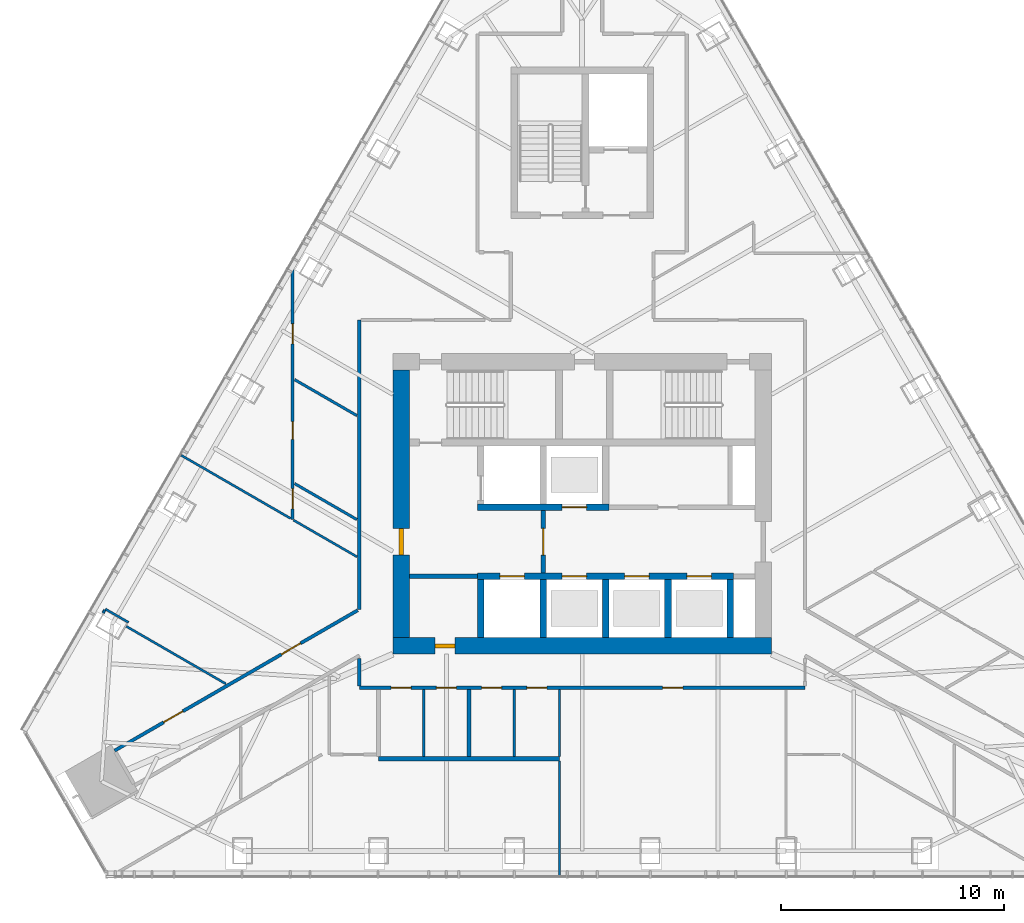
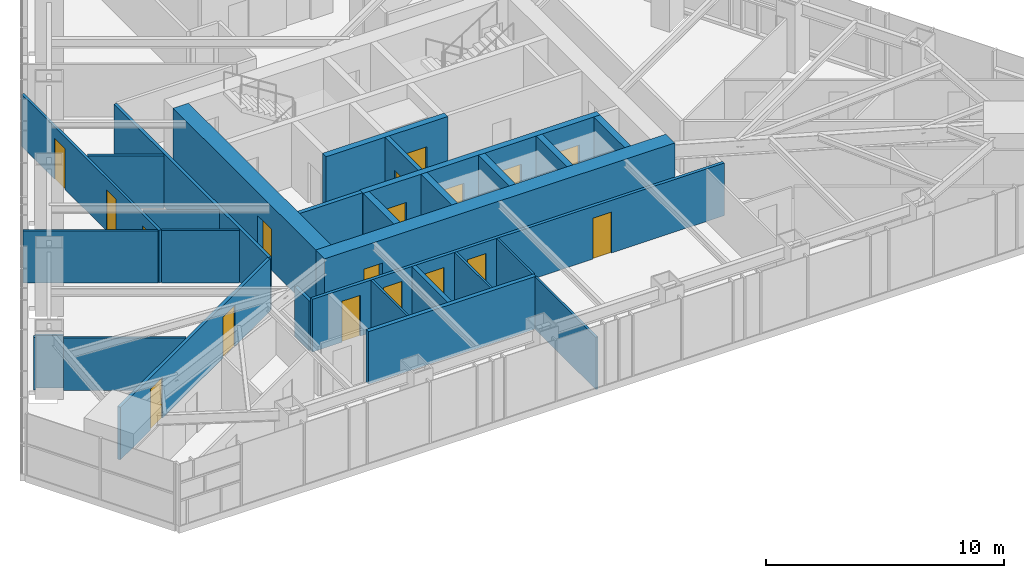
# One storey, part 14 of 18: 29 walls, 18 doors, 18 openings.
"""IFC4 building model written with IfcOpenShell, lengths in metres."""

from ifc_helpers import new_model, si_unit, direction, frame, frame_2d, origin, place, context, subcontext, project, spatial, rectangle, extrude, material, layer, layer_set, type_object, element, fill, save


model = new_model("IFC4")

# Units and contexts
model_context = context("Model", 3, precision=1e-05, world=origin(), true_north=direction((0.0, 1.0)))
body_context = subcontext(model_context, "Body", "Model", "MODEL_VIEW")
ifc_project = project(units=[si_unit("LENGTHUNIT", "METRE"), si_unit("AREAUNIT", "SQUARE_METRE"), si_unit("VOLUMEUNIT", "CUBIC_METRE"), si_unit("PLANEANGLEUNIT", "RADIAN"), si_unit("MASSUNIT", "GRAM", prefix="KILO")], contexts=[model_context])

# Site, building, storey
site_placement = place(None, origin())
site = spatial("IfcSite", under=ifc_project, at=site_placement, CompositionType="ELEMENT")
building_placement = place(site_placement, origin())
building = spatial("IfcBuilding", under=site, at=building_placement, Name="Firuza Gate Tower and Library", CompositionType="ELEMENT")
storey_placement = place(building_placement, frame((0.0, 0.0, 298.60009765625)))
storey = spatial("IfcBuildingStorey", under=building, at=storey_placement, Name="L72", CompositionType="ELEMENT", Elevation=298.60009765625)

# Wall
ifc_material_1 = material(Name="Plasterboard on steel studs", Category="steel")
ifc_layer_1 = layer(ifc_material_1, 0.199951171875)
ifc_layer_set_1 = layer_set([ifc_layer_1], Name="Core partition 200 EI 60")
wall_type_1 = type_object("IfcWallType", Name="Core partition 200 EI 60", PredefinedType="PARTITIONING", material=ifc_layer_set_1)
wall_1_placement = place(storey_placement, frame((67.25, 71.75, 0.0), z_axis=(0.0, 0.0, 1.0), x_axis=(1.0, 0.0, 0.0)))
element("IfcWall", 1, at=wall_1_placement, inside=storey, type_object=wall_type_1, Name="Core partition L72 1", PredefinedType="PARTITIONING", context=body_context, shape_type="SweptSolid", body=[
    extrude(rectangle(XDim=3.050048828125, YDim=0.199951171875, at=frame_2d((1.52490234375, 0.0))), origin(), (0.0, 0.0, 1.0), 3.2998046875),
])

# Wall, opening, door
wall_2_placement = place(storey_placement, frame((73.25, 71.89990234375, 0.0), z_axis=(0.0, 0.0, 1.0), x_axis=(0.0, 1.0, 0.0)))
wall_2 = element("IfcWall", 2, at=wall_2_placement, inside=storey, type_object=wall_type_1, Name="Core partition L72 4", PredefinedType="PARTITIONING", context=body_context, shape_type="SweptSolid", body=[
    extrude(rectangle(XDim=2.800048828125, YDim=0.199951171875, at=frame_2d((1.39990234375, 0.0))), origin(), (0.0, 0.0, 1.0), 3.2998046875),
])
opening_1_placement = place(wall_2_placement, frame((0.800048828125, 0.0, 0.0)))
opening_1 = element("IfcOpeningElement", 3, at=opening_1_placement, cuts=wall_2, Name="Opening L72-K14", PredefinedType="OPENING", context=body_context, shape_type="SweptSolid", body=[
    extrude(rectangle(XDim=1.199951171875, YDim=2.10009765625, at=frame_2d((0.60009765625, 1.050048828125))), frame((0.0, 0.10986328125, 0.0), z_axis=(0.0, -1.0, 0.0), x_axis=(1.0, 0.0, 0.0)), (0.0, 0.0, 1.0), 0.219970703125),
])
ifc_material_2 = material(Name="Steel", Category="steel")
door_type_1 = type_object("IfcDoorType", Name="Fire door 1200x2100 FD90S", OperationType="NOTDEFINED", PredefinedType="DOOR", material=ifc_material_2)
door_1_placement = place(opening_1_placement, origin())
door_1 = element("IfcDoor", 4, at=door_1_placement, inside=storey, type_object=door_type_1, Name="Door L72-K14", OperationType="SINGLE_SWING_LEFT", OverallHeight=2.10009765625, OverallWidth=1.199951171875, PredefinedType="DOOR", context=body_context, shape_type="SweptSolid", body=[
    extrude(rectangle(XDim=1.199951171875, YDim=2.10009765625, at=frame_2d((0.60009765625, 1.050048828125))), frame((0.0, 0.02490234375, 0.0), z_axis=(0.0, -1.0, 0.0), x_axis=(1.0, 0.0, 0.0)), (0.0, 0.0, 1.0), 0.050048828125),
])
fill(opening_1, door_1)

# Wall, openings, doors
ifc_material_3 = material(Name="Concrete C60/75", Category="concrete")
ifc_layer_2 = layer(ifc_material_3, 0.300048828125)
ifc_layer_set_2 = layer_set([ifc_layer_2], Name="Core wall 300 C60/75")
wall_type_2 = type_object("IfcWallType", Name="Core wall 300 C60/75", PredefinedType="SHEAR", material=ifc_layer_set_2)
wall_3_placement = place(storey_placement, frame((70.300048828125, 71.75, 0.0), z_axis=(0.0, 0.0, 1.0), x_axis=(1.0, 0.0, 0.0)))
wall_3 = element("IfcWall", 5, at=wall_3_placement, inside=storey, type_object=wall_type_2, Name="Core wall L72 5", PredefinedType="SHEAR", context=body_context, shape_type="SweptSolid", body=[
    extrude(rectangle(XDim=11.5, YDim=0.300048828125, at=frame_2d((5.75, 0.0))), origin(), (0.0, 0.0, 1.0), 3.2998046875),
])
opening_2_placement = place(wall_3_placement, frame((1.0, 0.0, 0.0)))
opening_2 = element("IfcOpeningElement", 6, at=opening_2_placement, cuts=wall_3, Name="Opening LD-FF1-L72", PredefinedType="OPENING", context=body_context, shape_type="SweptSolid", body=[
    extrude(rectangle(XDim=1.10009765625, YDim=2.10009765625, at=frame_2d((0.550048828125, 1.050048828125))), frame((0.0, 0.16015625, 0.0), z_axis=(0.0, -1.0, 0.0), x_axis=(1.0, 0.0, 0.0)), (0.0, 0.0, 1.0), 0.320068359375),
])
opening_3_placement = place(wall_3_placement, frame((3.800048828125, 0.0, 0.0)))
opening_3 = element("IfcOpeningElement", 7, at=opening_3_placement, cuts=wall_3, Name="Opening LD-HR1-L72", PredefinedType="OPENING", context=body_context, shape_type="SweptSolid", body=[
    extrude(rectangle(XDim=1.10009765625, YDim=2.10009765625, at=frame_2d((0.550048828125, 1.050048828125))), frame((0.0, 0.16015625, 0.0), z_axis=(0.0, -1.0, 0.0), x_axis=(1.0, 0.0, 0.0)), (0.0, 0.0, 1.0), 0.320068359375),
])
opening_4_placement = place(wall_3_placement, frame((6.60009765625, 0.0, 0.0)))
opening_4 = element("IfcOpeningElement", 8, at=opening_4_placement, cuts=wall_3, Name="Opening LD-HR2-L72", PredefinedType="OPENING", context=body_context, shape_type="SweptSolid", body=[
    extrude(rectangle(XDim=1.10009765625, YDim=2.10009765625, at=frame_2d((0.550048828125, 1.050048828125))), frame((0.0, 0.16015625, 0.0), z_axis=(0.0, -1.0, 0.0), x_axis=(1.0, 0.0, 0.0)), (0.0, 0.0, 1.0), 0.320068359375),
])
opening_5_placement = place(wall_3_placement, frame((9.39990234375, 0.0, 0.0)))
opening_5 = element("IfcOpeningElement", 9, at=opening_5_placement, cuts=wall_3, Name="Opening LD-HR3-L72", PredefinedType="OPENING", context=body_context, shape_type="SweptSolid", body=[
    extrude(rectangle(XDim=1.10009765625, YDim=2.10009765625, at=frame_2d((0.550048828125, 1.050048828125))), frame((0.0, 0.16015625, 0.0), z_axis=(0.0, -1.0, 0.0), x_axis=(1.0, 0.0, 0.0)), (0.0, 0.0, 1.0), 0.320068359375),
])
ifc_material_4 = material(Name="Stainless steel", Category="steel")
door_type_2 = type_object("IfcDoorType", Name="Lift landing door 1100x2100", OperationType="DOUBLE_DOOR_SLIDING", PredefinedType="DOOR", material=ifc_material_4)
door_2_placement = place(opening_2_placement, origin())
door_2 = element("IfcDoor", 10, at=door_2_placement, inside=storey, type_object=door_type_2, Name="Landing door FF1 L72", OperationType="DOUBLE_DOOR_SLIDING", OverallHeight=2.10009765625, OverallWidth=1.10009765625, PredefinedType="DOOR", context=body_context, shape_type="SweptSolid", body=[
    extrude(rectangle(XDim=1.10009765625, YDim=2.10009765625, at=frame_2d((0.550048828125, 1.050048828125))), frame((0.0, 0.02490234375, 0.0), z_axis=(0.0, -1.0, 0.0), x_axis=(1.0, 0.0, 0.0)), (0.0, 0.0, 1.0), 0.050048828125),
])
fill(opening_2, door_2)
door_3_placement = place(opening_3_placement, origin())
door_3 = element("IfcDoor", 11, at=door_3_placement, inside=storey, type_object=door_type_2, Name="Landing door HR1 L72", OperationType="DOUBLE_DOOR_SLIDING", OverallHeight=2.10009765625, OverallWidth=1.10009765625, PredefinedType="DOOR", context=body_context, shape_type="SweptSolid", body=[
    extrude(rectangle(XDim=1.10009765625, YDim=2.10009765625, at=frame_2d((0.550048828125, 1.050048828125))), frame((0.0, 0.02490234375, 0.0), z_axis=(0.0, -1.0, 0.0), x_axis=(1.0, 0.0, 0.0)), (0.0, 0.0, 1.0), 0.050048828125),
])
fill(opening_3, door_3)
door_4_placement = place(opening_4_placement, origin())
door_4 = element("IfcDoor", 12, at=door_4_placement, inside=storey, type_object=door_type_2, Name="Landing door HR2 L72", OperationType="DOUBLE_DOOR_SLIDING", OverallHeight=2.10009765625, OverallWidth=1.10009765625, PredefinedType="DOOR", context=body_context, shape_type="SweptSolid", body=[
    extrude(rectangle(XDim=1.10009765625, YDim=2.10009765625, at=frame_2d((0.550048828125, 1.050048828125))), frame((0.0, 0.02490234375, 0.0), z_axis=(0.0, -1.0, 0.0), x_axis=(1.0, 0.0, 0.0)), (0.0, 0.0, 1.0), 0.050048828125),
])
fill(opening_4, door_4)
door_5_placement = place(opening_5_placement, origin())
door_5 = element("IfcDoor", 13, at=door_5_placement, inside=storey, type_object=door_type_2, Name="Landing door HR3 L72", OperationType="DOUBLE_DOOR_SLIDING", OverallHeight=2.10009765625, OverallWidth=1.10009765625, PredefinedType="DOOR", context=body_context, shape_type="SweptSolid", body=[
    extrude(rectangle(XDim=1.10009765625, YDim=2.10009765625, at=frame_2d((0.550048828125, 1.050048828125))), frame((0.0, 0.02490234375, 0.0), z_axis=(0.0, -1.0, 0.0), x_axis=(1.0, 0.0, 0.0)), (0.0, 0.0, 1.0), 0.050048828125),
])
fill(opening_5, door_5)

# Wall, opening, door
wall_4_placement = place(storey_placement, frame((70.300048828125, 74.85009765625, 0.0), z_axis=(0.0, 0.0, 1.0), x_axis=(1.0, 0.0, 0.0)))
wall_4 = element("IfcWall", 14, at=wall_4_placement, inside=storey, type_object=wall_type_2, Name="Core wall L72 6", PredefinedType="SHEAR", context=body_context, shape_type="SweptSolid", body=[
    extrude(rectangle(XDim=5.89990234375, YDim=0.300048828125, at=frame_2d((2.949951171875, 0.0))), origin(), (0.0, 0.0, 1.0), 3.2998046875),
])
opening_6_placement = place(wall_4_placement, frame((3.800048828125, 0.0, 0.0)))
opening_6 = element("IfcOpeningElement", 15, at=opening_6_placement, cuts=wall_4, Name="Opening LD-HR4-L72", PredefinedType="OPENING", context=body_context, shape_type="SweptSolid", body=[
    extrude(rectangle(XDim=1.10009765625, YDim=2.10009765625, at=frame_2d((0.550048828125, 1.050048828125))), frame((0.0, 0.16015625, 0.0), z_axis=(0.0, -1.0, 0.0), x_axis=(1.0, 0.0, 0.0)), (0.0, 0.0, 1.0), 0.320068359375),
])
door_6_placement = place(opening_6_placement, origin())
door_6 = element("IfcDoor", 16, at=door_6_placement, inside=storey, type_object=door_type_2, Name="Landing door HR4 L72", OperationType="DOUBLE_DOOR_SLIDING", OverallHeight=2.10009765625, OverallWidth=1.10009765625, PredefinedType="DOOR", context=body_context, shape_type="SweptSolid", body=[
    extrude(rectangle(XDim=1.10009765625, YDim=2.10009765625, at=frame_2d((0.550048828125, 1.050048828125))), frame((0.0, 0.02490234375, 0.0), z_axis=(0.0, -1.0, 0.0), x_axis=(1.0, 0.0, 0.0)), (0.0, 0.0, 1.0), 0.050048828125),
])
fill(opening_6, door_6)

# Walls
for number, where, z_axis, x_axis, name in (
    (17, (70.449951171875, 69.0, 0.0), (0.0, 0.0, 1.0), (0.0, 1.0, 0.0), "Core wall L72 7"),
    (18, (73.25, 69.0, 0.0), (0.0, 0.0, 1.0), (0.0, 1.0, 0.0), "Core wall L72 9"),
    (19, (76.050048828125, 69.0, 0.0), (0.0, 0.0, 1.0), (0.0, 1.0, 0.0), "Core wall L72 11"),
    (20, (78.85009765625, 69.0, 0.0), (0.0, 0.0, 1.0), (0.0, 1.0, 0.0), "Core wall L72 13"),
    (21, (81.64990234375, 69.0, 0.0), (0.0, 0.0, 1.0), (0.0, 1.0, 0.0), "Core wall L72 14"),
):
    element("IfcWall", number, at=place(storey_placement, frame(where, z_axis=z_axis, x_axis=x_axis)), inside=storey, type_object=wall_type_2, Name=name, PredefinedType="SHEAR", context=body_context, shape_type="SweptSolid", body=[
        extrude(rectangle(XDim=2.60009765625, YDim=0.300048828125, at=frame_2d((1.300048828125, 0.0))), origin(), (0.0, 0.0, 1.0), 3.2998046875),
    ])

# Wall, opening, door
ifc_material_5 = material(Name="Concrete C60/75", Category="concrete")
ifc_layer_3 = layer(ifc_material_5, 0.75)
ifc_layer_set_3 = layer_set([ifc_layer_3], Name="Core wall 750 C60/75")
wall_type_3 = type_object("IfcWallType", Name="Core wall 750 C60/75", PredefinedType="SHEAR", material=ifc_layer_set_3)
wall_5_placement = place(storey_placement, frame((66.5, 68.625, 0.0), z_axis=(0.0, 0.0, 1.0), x_axis=(1.0, 0.0, 0.0)))
wall_5 = element("IfcWall", 22, at=wall_5_placement, inside=storey, type_object=wall_type_3, Name="Core wall L72 1", PredefinedType="SHEAR", context=body_context, shape_type="SweptSolid", body=[
    extrude(rectangle(XDim=17.0, YDim=0.75, at=frame_2d((8.5, 0.0))), origin(), (0.0, 0.0, 1.0), 3.2998046875),
])
opening_7_placement = place(wall_5_placement, frame((1.89990234375, 0.0, 0.0)))
opening_7 = element("IfcOpeningElement", 23, at=opening_7_placement, cuts=wall_5, Name="Opening L72-K17", PredefinedType="OPENING", context=body_context, shape_type="SweptSolid", body=[
    extrude(rectangle(XDim=0.89990234375, YDim=2.10009765625, at=frame_2d((0.449951171875, 1.050048828125))), frame((0.0, 0.385009765625, 0.0), z_axis=(0.0, -1.0, 0.0), x_axis=(1.0, 0.0, 0.0)), (0.0, 0.0, 1.0), 0.77001953125),
])
ifc_material_6 = material(Name="Steel", Category="steel")
door_type_3 = type_object("IfcDoorType", Name="Fire door 900x2100 FD30S", OperationType="NOTDEFINED", PredefinedType="DOOR", material=ifc_material_6)
door_7_placement = place(opening_7_placement, origin())
door_7 = element("IfcDoor", 24, at=door_7_placement, inside=storey, type_object=door_type_3, Name="Door L72-K17", OperationType="SINGLE_SWING_RIGHT", OverallHeight=2.10009765625, OverallWidth=0.89990234375, PredefinedType="DOOR", context=body_context, shape_type="SweptSolid", body=[
    extrude(rectangle(XDim=0.89990234375, YDim=2.10009765625, at=frame_2d((0.449951171875, 1.050048828125))), frame((0.0, 0.094970703125, 0.0), z_axis=(0.0, -1.0, 0.0), x_axis=(1.0, 0.0, 0.0)), (0.0, 0.0, 1.0), 0.18994140625),
])
fill(opening_7, door_7)

wall_6_placement = place(storey_placement, frame((66.875, 69.0, 0.0), z_axis=(0.0, 0.0, 1.0), x_axis=(0.0, 1.0, 0.0)))
wall_6 = element("IfcWall", 25, at=wall_6_placement, inside=storey, type_object=wall_type_3, Name="Core wall L72 3", PredefinedType="SHEAR", context=body_context, shape_type="SweptSolid", body=[
    extrude(rectangle(XDim=12.0, YDim=0.75, at=frame_2d((6.0, 0.0))), origin(), (0.0, 0.0, 1.0), 3.2998046875),
])
opening_8_placement = place(wall_6_placement, frame((3.699951171875, 0.0, 0.0)))
opening_8 = element("IfcOpeningElement", 26, at=opening_8_placement, cuts=wall_6, Name="Opening L72-K15", PredefinedType="OPENING", context=body_context, shape_type="SweptSolid", body=[
    extrude(rectangle(XDim=1.199951171875, YDim=2.10009765625, at=frame_2d((0.60009765625, 1.050048828125))), frame((0.0, 0.385009765625, 0.0), z_axis=(0.0, -1.0, 0.0), x_axis=(1.0, 0.0, 0.0)), (0.0, 0.0, 1.0), 0.77001953125),
])
door_8_placement = place(opening_8_placement, origin())
door_8 = element("IfcDoor", 27, at=door_8_placement, inside=storey, type_object=door_type_1, Name="Door L72-K15", OperationType="SINGLE_SWING_RIGHT", OverallHeight=2.10009765625, OverallWidth=1.199951171875, PredefinedType="DOOR", context=body_context, shape_type="SweptSolid", body=[
    extrude(rectangle(XDim=1.199951171875, YDim=2.10009765625, at=frame_2d((0.60009765625, 1.050048828125))), frame((0.0, 0.094970703125, 0.0), z_axis=(0.0, -1.0, 0.0), x_axis=(1.0, 0.0, 0.0)), (0.0, 0.0, 1.0), 0.18994140625),
])
fill(opening_8, door_8)

# Wall, openings, doors
ifc_material_7 = material(Name="Gypsum board partition")
ifc_layer_4 = layer(ifc_material_7, 0.14990234375)
ifc_layer_set_4 = layer_set([ifc_layer_4], Name="Corridor wall 150 double board on steel studs")
wall_type_4 = type_object("IfcWallType", Name="Corridor wall 150 double board on steel studs", PredefinedType="PARTITIONING", material=ifc_layer_set_4)
wall_7_placement = place(storey_placement, frame((85.0, 66.75, 0.0), z_axis=(0.0, 0.0, 1.0), x_axis=(-1.0, 0.0, 0.0)))
wall_7 = element("IfcWall", 28, at=wall_7_placement, inside=storey, type_object=wall_type_4, Name="f:L72:w004", PredefinedType="PARTITIONING", context=body_context, shape_type="SweptSolid", body=[
    extrude(rectangle(XDim=20.0, YDim=0.14990234375, at=frame_2d((10.0, 0.0))), origin(), (0.0, 0.0, 1.0), 2.699951171875),
])
opening_9_placement = place(wall_7_placement, frame((5.486083984375, 0.0, 0.0)))
opening_9 = element("IfcOpeningElement", 29, at=opening_9_placement, cuts=wall_7, Name="Opening L72-03", PredefinedType="OPENING", context=body_context, shape_type="SweptSolid", body=[
    extrude(rectangle(XDim=0.89990234375, YDim=2.10009765625, at=frame_2d((0.449951171875, 1.050048828125))), frame((0.0, 0.0849609375, 0.0), z_axis=(0.0, -1.0, 0.0), x_axis=(1.0, 0.0, 0.0)), (0.0, 0.0, 1.0), 0.169921875),
])
opening_10_placement = place(wall_7_placement, frame((11.58203125, 0.0, 0.0)))
opening_10 = element("IfcOpeningElement", 30, at=opening_10_placement, cuts=wall_7, Name="Opening L72-04", PredefinedType="OPENING", context=body_context, shape_type="SweptSolid", body=[
    extrude(rectangle(XDim=0.89990234375, YDim=2.10009765625, at=frame_2d((0.449951171875, 1.050048828125))), frame((0.0, 0.0849609375, 0.0), z_axis=(0.0, -1.0, 0.0), x_axis=(1.0, 0.0, 0.0)), (0.0, 0.0, 1.0), 0.169921875),
])
opening_11_placement = place(wall_7_placement, frame((13.614013671875, 0.0, 0.0)))
opening_11 = element("IfcOpeningElement", 31, at=opening_11_placement, cuts=wall_7, Name="Opening L72-05", PredefinedType="OPENING", context=body_context, shape_type="SweptSolid", body=[
    extrude(rectangle(XDim=0.89990234375, YDim=2.10009765625, at=frame_2d((0.449951171875, 1.050048828125))), frame((0.0, 0.0849609375, 0.0), z_axis=(0.0, -1.0, 0.0), x_axis=(1.0, 0.0, 0.0)), (0.0, 0.0, 1.0), 0.169921875),
])
opening_12_placement = place(wall_7_placement, frame((15.64599609375, 0.0, 0.0)))
opening_12 = element("IfcOpeningElement", 32, at=opening_12_placement, cuts=wall_7, Name="Opening L72-06", PredefinedType="OPENING", context=body_context, shape_type="SweptSolid", body=[
    extrude(rectangle(XDim=0.89990234375, YDim=2.10009765625, at=frame_2d((0.449951171875, 1.050048828125))), frame((0.0, 0.0849609375, 0.0), z_axis=(0.0, -1.0, 0.0), x_axis=(1.0, 0.0, 0.0)), (0.0, 0.0, 1.0), 0.169921875),
])
opening_13_placement = place(wall_7_placement, frame((17.677978515625, 0.0, 0.0)))
opening_13 = element("IfcOpeningElement", 33, at=opening_13_placement, cuts=wall_7, Name="Opening L72-07", PredefinedType="OPENING", context=body_context, shape_type="SweptSolid", body=[
    extrude(rectangle(XDim=0.89990234375, YDim=2.10009765625, at=frame_2d((0.449951171875, 1.050048828125))), frame((0.0, 0.0849609375, 0.0), z_axis=(0.0, -1.0, 0.0), x_axis=(1.0, 0.0, 0.0)), (0.0, 0.0, 1.0), 0.169921875),
])
ifc_material_8 = material(Name="Steel door and timber leaf", Category="steel")
door_type_4 = type_object("IfcDoorType", Name="Fire door 900 x 2100 steel frame, timber leaf", OperationType="NOTDEFINED", PredefinedType="DOOR", material=ifc_material_8)
door_9_placement = place(opening_9_placement, origin())
door_9 = element("IfcDoor", 34, at=door_9_placement, inside=storey, type_object=door_type_4, Name="f:L72:d003", OperationType="SINGLE_SWING_RIGHT", OverallHeight=2.10009765625, OverallWidth=0.89990234375, PredefinedType="DOOR", context=body_context, shape_type="SweptSolid", body=[
    extrude(rectangle(XDim=0.89990234375, YDim=2.10009765625, at=frame_2d((0.449951171875, 1.050048828125))), frame((0.0, 0.02490234375, 0.0), z_axis=(0.0, -1.0, 0.0), x_axis=(1.0, 0.0, 0.0)), (0.0, 0.0, 1.0), 0.050048828125),
])
fill(opening_9, door_9)
door_10_placement = place(opening_10_placement, origin())
door_10 = element("IfcDoor", 35, at=door_10_placement, inside=storey, type_object=door_type_4, Name="f:L72:d004", OperationType="SINGLE_SWING_LEFT", OverallHeight=2.10009765625, OverallWidth=0.89990234375, PredefinedType="DOOR", context=body_context, shape_type="SweptSolid", body=[
    extrude(rectangle(XDim=0.89990234375, YDim=2.10009765625, at=frame_2d((0.449951171875, 1.050048828125))), frame((0.0, 0.02490234375, 0.0), z_axis=(0.0, -1.0, 0.0), x_axis=(1.0, 0.0, 0.0)), (0.0, 0.0, 1.0), 0.050048828125),
])
fill(opening_10, door_10)
door_11_placement = place(opening_11_placement, origin())
door_11 = element("IfcDoor", 36, at=door_11_placement, inside=storey, type_object=door_type_4, Name="f:L72:d005", OperationType="SINGLE_SWING_RIGHT", OverallHeight=2.10009765625, OverallWidth=0.89990234375, PredefinedType="DOOR", context=body_context, shape_type="SweptSolid", body=[
    extrude(rectangle(XDim=0.89990234375, YDim=2.10009765625, at=frame_2d((0.449951171875, 1.050048828125))), frame((0.0, 0.02490234375, 0.0), z_axis=(0.0, -1.0, 0.0), x_axis=(1.0, 0.0, 0.0)), (0.0, 0.0, 1.0), 0.050048828125),
])
fill(opening_11, door_11)
door_12_placement = place(opening_12_placement, origin())
door_12 = element("IfcDoor", 37, at=door_12_placement, inside=storey, type_object=door_type_4, Name="f:L72:d006", OperationType="SINGLE_SWING_LEFT", OverallHeight=2.10009765625, OverallWidth=0.89990234375, PredefinedType="DOOR", context=body_context, shape_type="SweptSolid", body=[
    extrude(rectangle(XDim=0.89990234375, YDim=2.10009765625, at=frame_2d((0.449951171875, 1.050048828125))), frame((0.0, 0.02490234375, 0.0), z_axis=(0.0, -1.0, 0.0), x_axis=(1.0, 0.0, 0.0)), (0.0, 0.0, 1.0), 0.050048828125),
])
fill(opening_12, door_12)
door_13_placement = place(opening_13_placement, origin())
door_13 = element("IfcDoor", 38, at=door_13_placement, inside=storey, type_object=door_type_4, Name="f:L72:d007", OperationType="SINGLE_SWING_RIGHT", OverallHeight=2.10009765625, OverallWidth=0.89990234375, PredefinedType="DOOR", context=body_context, shape_type="SweptSolid", body=[
    extrude(rectangle(XDim=0.89990234375, YDim=2.10009765625, at=frame_2d((0.449951171875, 1.050048828125))), frame((0.0, 0.02490234375, 0.0), z_axis=(0.0, -1.0, 0.0), x_axis=(1.0, 0.0, 0.0)), (0.0, 0.0, 1.0), 0.050048828125),
])
fill(opening_13, door_13)

wall_8_placement = place(storey_placement, frame((54.012451171875, 63.922119140625, 0.0), z_axis=(0.0, 0.0, 1.0), x_axis=(0.866028779199, 0.499994153564, 0.0)))
wall_8 = element("IfcWall", 39, at=wall_8_placement, inside=storey, type_object=wall_type_4, Name="f:L72:w022", PredefinedType="PARTITIONING", context=body_context, shape_type="SweptSolid", body=[
    extrude(rectangle(XDim=12.600830078125, YDim=0.14990234375, at=frame_2d((6.30029296875, 0.0))), origin(), (0.0, 0.0, 1.0), 2.699951171875),
])
opening_14_placement = place(wall_8_placement, frame((2.542236328125, 0.0, 0.0)))
opening_14 = element("IfcOpeningElement", 40, at=opening_14_placement, cuts=wall_8, Name="Opening L72-15", PredefinedType="OPENING", context=body_context, shape_type="SweptSolid", body=[
    extrude(rectangle(XDim=1.0, YDim=2.10009765625, at=frame_2d((0.5, 1.050048828125))), frame((0.0, 0.0849609375, 0.0), z_axis=(0.0, -1.0, 0.0), x_axis=(1.0, 0.0, 0.0)), (0.0, 0.0, 1.0), 0.169921875),
])
opening_15_placement = place(wall_8_placement, frame((8.63916015625, 0.0, 0.0)))
opening_15 = element("IfcOpeningElement", 41, at=opening_15_placement, cuts=wall_8, Name="Opening L72-16", PredefinedType="OPENING", context=body_context, shape_type="SweptSolid", body=[
    extrude(rectangle(XDim=1.0, YDim=2.10009765625, at=frame_2d((0.5, 1.050048828125))), frame((0.0, 0.0849609375, 0.0), z_axis=(0.0, -1.0, 0.0), x_axis=(1.0, 0.0, 0.0)), (0.0, 0.0, 1.0), 0.169921875),
])
ifc_material_9 = material(Name="Steel door and timber leaf", Category="steel")
door_type_5 = type_object("IfcDoorType", Name="Fire door 1000 x 2100 steel frame, timber leaf", OperationType="NOTDEFINED", PredefinedType="DOOR", material=ifc_material_9)
door_14_placement = place(opening_14_placement, origin())
door_14 = element("IfcDoor", 42, at=door_14_placement, inside=storey, type_object=door_type_5, Name="f:L72:d015", OperationType="SINGLE_SWING_LEFT", OverallHeight=2.10009765625, OverallWidth=1.0, PredefinedType="DOOR", context=body_context, shape_type="SweptSolid", body=[
    extrude(rectangle(XDim=1.0, YDim=2.10009765625, at=frame_2d((0.5, 1.050048828125))), frame((0.0, 0.02490234375, 0.0), z_axis=(0.0, -1.0, 0.0), x_axis=(1.0, 0.0, 0.0)), (0.0, 0.0, 1.0), 0.050048828125),
])
fill(opening_14, door_14)
door_15_placement = place(opening_15_placement, origin())
door_15 = element("IfcDoor", 43, at=door_15_placement, inside=storey, type_object=door_type_5, Name="f:L72:d016", OperationType="SINGLE_SWING_RIGHT", OverallHeight=2.10009765625, OverallWidth=1.0, PredefinedType="DOOR", context=body_context, shape_type="SweptSolid", body=[
    extrude(rectangle(XDim=1.0, YDim=2.10009765625, at=frame_2d((0.5, 1.050048828125))), frame((0.0, 0.02490234375, 0.0), z_axis=(0.0, -1.0, 0.0), x_axis=(1.0, 0.0, 0.0)), (0.0, 0.0, 1.0), 0.050048828125),
])
fill(opening_15, door_15)

# Walls
wall_9_placement = place(storey_placement, frame((65.0, 66.824951171875, 0.0), z_axis=(0.0, 0.0, 1.0), x_axis=(0.0, 1.0, 0.0)))
element("IfcWall", 44, at=wall_9_placement, inside=storey, type_object=wall_type_4, Name="f:L72:w046", PredefinedType="PARTITIONING", context=body_context, shape_type="SweptSolid", body=[
    extrude(rectangle(XDim=1.225830078125, YDim=0.14990234375, at=frame_2d((0.61279296875, 0.0))), origin(), (0.0, 0.0, 1.0), 2.546875),
])
wall_10_placement = place(storey_placement, frame((65.0, 70.265625, 0.0), z_axis=(0.0, 0.0, 1.0), x_axis=(0.0, 1.0, 0.0)))
element("IfcWall", 45, at=wall_10_placement, inside=storey, type_object=wall_type_4, Name="f:L72:w047", PredefinedType="PARTITIONING", context=body_context, shape_type="SweptSolid", body=[
    extrude(rectangle(XDim=12.98388671875, YDim=0.14990234375, at=frame_2d((6.491943359375, 0.0))), origin(), (0.0, 0.0, 1.0), 2.699951171875),
])
ifc_material_10 = material(Name="Gypsum board partition")
ifc_layer_5 = layer(ifc_material_10, 0.199951171875)
ifc_layer_set_5 = layer_set([ifc_layer_5], Name="Demising wall 200 acoustic double stud")
wall_type_5 = type_object("IfcWallType", Name="Demising wall 200 acoustic double stud", PredefinedType="PARTITIONING", material=ifc_layer_set_5)
wall_11_placement = place(storey_placement, frame((65.85595703125, 63.550048828125, 0.0), z_axis=(0.0, 0.0, 1.0), x_axis=(1.0, 0.0, 0.0)))
element("IfcWall", 46, at=wall_11_placement, inside=storey, type_object=wall_type_5, Name="f:L72:w001", PredefinedType="PARTITIONING", context=body_context, shape_type="SweptSolid", body=[
    extrude(rectangle(XDim=8.1279296875, YDim=0.199951171875, at=frame_2d((4.06396484375, 0.0))), origin(), (0.0, 0.0, 1.0), 2.699951171875),
])
wall_12_placement = place(storey_placement, frame((69.919921875, 63.64990234375, 0.0), z_axis=(0.0, 0.0, 1.0), x_axis=(0.0, 1.0, 0.0)))
element("IfcWall", 47, at=wall_12_placement, inside=storey, type_object=wall_type_5, Name="f:L72:w043", PredefinedType="PARTITIONING", context=body_context, shape_type="SweptSolid", body=[
    extrude(rectangle(XDim=3.025146484375, YDim=0.199951171875, at=frame_2d((1.5126953125, 0.0))), origin(), (0.0, 0.0, 1.0), 2.699951171875),
])
ifc_material_11 = material(Name="Gypsum board partition")
ifc_layer_6 = layer(ifc_material_11, 0.10009765625)
ifc_layer_set_6 = layer_set([ifc_layer_6], Name="Partition 100 gypsum board on steel studs")
wall_type_6 = type_object("IfcWallType", Name="Partition 100 gypsum board on steel studs", PredefinedType="PARTITIONING", material=ifc_layer_set_6)
wall_13_placement = place(storey_placement, frame((53.4951171875, 70.102294921875, 0.0), z_axis=(0.0, 0.0, 1.0), x_axis=(0.499906209203, 0.866079547155, 0.0)))
element("IfcWall", 48, at=wall_13_placement, inside=storey, type_object=wall_type_6, Name="f:L72:w026", PredefinedType="PARTITIONING", context=body_context, shape_type="SweptSolid", body=[
    extrude(rectangle(XDim=0.1533203125, YDim=0.10009765625, at=frame_2d((0.07666015625, 0.0))), origin(), (0.0, 0.0, 1.0), 2.699951171875),
])
wall_14_placement = place(storey_placement, frame((73.98388671875, 58.32470703125, 0.0), z_axis=(0.0, 0.0, 1.0), x_axis=(0.0, 1.0, 0.0)))
element("IfcWall", 49, at=wall_14_placement, inside=storey, type_object=wall_type_6, Name="f:L72:w038", PredefinedType="PARTITIONING", context=body_context, shape_type="SweptSolid", body=[
    extrude(rectangle(XDim=5.125244140625, YDim=0.10009765625, at=frame_2d((2.5625, 0.0))), origin(), (0.0, 0.0, 1.0), 2.68798828125),
])
for number, where, z_axis, x_axis, name in (
    (50, (71.951904296875, 63.64990234375, 0.0), (0.0, 0.0, 1.0), (0.0, 1.0, 0.0), "f:L72:w040"),
    (51, (67.887939453125, 63.64990234375, 0.0), (0.0, 0.0, 1.0), (0.0, 1.0, 0.0), "f:L72:w044"),
):
    element("IfcWall", number, at=place(storey_placement, frame(where, z_axis=z_axis, x_axis=x_axis)), inside=storey, type_object=wall_type_6, Name=name, PredefinedType="PARTITIONING", context=body_context, shape_type="SweptSolid", body=[
        extrude(rectangle(XDim=3.025146484375, YDim=0.10009765625, at=frame_2d((1.5126953125, 0.0))), origin(), (0.0, 0.0, 1.0), 2.699951171875),
    ])
wall_15_placement = place(storey_placement, frame((64.899169921875, 72.61962890625, 0.0), z_axis=(0.0, 0.0, 1.0), x_axis=(-0.866032610133, 0.499987518031, 0.0)))
element("IfcWall", 52, at=wall_15_placement, inside=storey, type_object=wall_type_6, Name="f:L72:w064", PredefinedType="PARTITIONING", context=body_context, shape_type="SweptSolid", body=[
    extrude(rectangle(XDim=3.29541015625, YDim=0.10009765625, at=frame_2d((1.647705078125, 0.0))), origin(), (0.0, 0.0, 1.0), 2.699951171875),
])
wall_16_placement = place(storey_placement, frame((54.6357421875, 69.679443359375, 0.0), z_axis=(0.0, 0.0, 1.0), x_axis=(-0.865978732077, 0.500080829057, 0.0)))
element("IfcWall", 53, at=wall_16_placement, inside=storey, type_object=wall_type_6, Name="f:L72:w065", PredefinedType="PARTITIONING", context=body_context, shape_type="SweptSolid", body=[
    extrude(rectangle(XDim=1.198974609375, YDim=0.10009765625, at=frame_2d((0.599609375, 0.0))), origin(), (0.0, 0.0, 1.0), 2.699951171875),
])
wall_17_placement = place(storey_placement, frame((59.0048828125, 66.921142578125, 0.0), z_axis=(0.0, 0.0, 1.0), x_axis=(-0.866022552607, 0.500004938352, 0.0)))
element("IfcWall", 54, at=wall_17_placement, inside=storey, type_object=wall_type_6, Name="f:L72:w066", PredefinedType="PARTITIONING", context=body_context, shape_type="SweptSolid", body=[
    extrude(rectangle(XDim=5.162109375, YDim=0.10009765625, at=frame_2d((2.5810546875, 0.0))), origin(), (0.0, 0.0, 1.0), 2.699951171875),
])
wall_18_placement = place(storey_placement, frame((73.98388671875, 63.64990234375, 0.0), z_axis=(0.0, 0.0, 1.0), x_axis=(0.0, 1.0, 0.0)))
element("IfcWall", 55, at=wall_18_placement, inside=storey, type_object=wall_type_6, Name="f:L72:w067", PredefinedType="PARTITIONING", context=body_context, shape_type="SweptSolid", body=[
    extrude(rectangle(XDim=3.025146484375, YDim=0.10009765625, at=frame_2d((1.5126953125, 0.0))), origin(), (0.0, 0.0, 1.0), 2.699951171875),
])
wall_19_placement = place(storey_placement, frame((61.9150390625, 74.342529296875, 0.0), z_axis=(0.0, 0.0, 1.0), x_axis=(-0.866030760678, 0.499990721473, 0.0)))
element("IfcWall", 56, at=wall_19_placement, inside=storey, type_object=wall_type_6, Name="f:L72:w071", PredefinedType="PARTITIONING", context=body_context, shape_type="SweptSolid", body=[
    extrude(rectangle(XDim=5.671875, YDim=0.10009765625, at=frame_2d((2.8359375, 0.0))), origin(), (0.0, 0.0, 1.0), 2.68798828125),
])

# Wall, openings, doors
ifc_material_12 = material(Name="Gypsum board partition")
ifc_layer_7 = layer(ifc_material_12, 0.1201171875)
ifc_layer_set_7 = layer_set([ifc_layer_7], Name="Wet-area partition 120 moisture-resistant board")
wall_type_7 = type_object("IfcWallType", Name="Wet-area partition 120 moisture-resistant board", PredefinedType="PARTITIONING", material=ifc_layer_set_7)
wall_20_placement = place(storey_placement, frame((62.0, 85.833984375, 0.0), z_axis=(0.0, 0.0, 1.0), x_axis=(0.0, -1.0, 0.0)))
wall_20 = element("IfcWall", 57, at=wall_20_placement, inside=storey, type_object=wall_type_7, Name="f:L72:w049", PredefinedType="PARTITIONING", context=body_context, shape_type="SweptSolid", body=[
    extrude(rectangle(XDim=11.540771484375, YDim=0.1201171875, at=frame_2d((5.7705078125, 0.0))), origin(), (0.0, 0.0, 1.0), 2.68798828125),
])
opening_16_placement = place(wall_20_placement, frame((2.75439453125, 0.0, 0.0)))
opening_16 = element("IfcOpeningElement", 58, at=opening_16_placement, cuts=wall_20, Name="Opening L72-18", PredefinedType="OPENING", context=body_context, shape_type="SweptSolid", body=[
    extrude(rectangle(XDim=0.89990234375, YDim=2.10009765625, at=frame_2d((0.449951171875, 1.050048828125))), frame((0.0, 0.070068359375, 0.0), z_axis=(0.0, -1.0, 0.0), x_axis=(1.0, 0.0, 0.0)), (0.0, 0.0, 1.0), 0.14013671875),
])
opening_17_placement = place(wall_20_placement, frame((7.138671875, 0.0, 0.0)))
opening_17 = element("IfcOpeningElement", 59, at=opening_17_placement, cuts=wall_20, Name="Opening L72-19", PredefinedType="OPENING", context=body_context, shape_type="SweptSolid", body=[
    extrude(rectangle(XDim=0.800048828125, YDim=2.10009765625, at=frame_2d((0.39990234375, 1.050048828125))), frame((0.0, 0.070068359375, 0.0), z_axis=(0.0, -1.0, 0.0), x_axis=(1.0, 0.0, 0.0)), (0.0, 0.0, 1.0), 0.14013671875),
])
opening_18_placement = place(wall_20_placement, frame((10.15625, 0.0, 0.0)))
opening_18 = element("IfcOpeningElement", 60, at=opening_18_placement, cuts=wall_20, Name="Opening L72-20", PredefinedType="OPENING", context=body_context, shape_type="SweptSolid", body=[
    extrude(rectangle(XDim=0.89990234375, YDim=2.10009765625, at=frame_2d((0.449951171875, 1.050048828125))), frame((0.0, 0.070068359375, 0.0), z_axis=(0.0, -1.0, 0.0), x_axis=(1.0, 0.0, 0.0)), (0.0, 0.0, 1.0), 0.14013671875),
])
ifc_material_13 = material(Name="Timber door", Category="wood")
door_type_6 = type_object("IfcDoorType", Name="Door 800 x 2100 timber leaf", OperationType="NOTDEFINED", PredefinedType="DOOR", material=ifc_material_13)
door_16_placement = place(opening_17_placement, origin())
door_16 = element("IfcDoor", 61, at=door_16_placement, inside=storey, type_object=door_type_6, Name="f:L72:d019", OperationType="SINGLE_SWING_RIGHT", OverallHeight=2.10009765625, OverallWidth=0.800048828125, PredefinedType="DOOR", context=body_context, shape_type="SweptSolid", body=[
    extrude(rectangle(XDim=0.800048828125, YDim=2.10009765625, at=frame_2d((0.39990234375, 1.050048828125))), frame((0.0, 0.02490234375, 0.0), z_axis=(0.0, -1.0, 0.0), x_axis=(1.0, 0.0, 0.0)), (0.0, 0.0, 1.0), 0.050048828125),
])
fill(opening_17, door_16)
ifc_material_14 = material(Name="Timber door", Category="wood")
door_type_7 = type_object("IfcDoorType", Name="Door 900 x 2100 timber leaf", OperationType="NOTDEFINED", PredefinedType="DOOR", material=ifc_material_14)
door_17_placement = place(opening_16_placement, origin())
door_17 = element("IfcDoor", 62, at=door_17_placement, inside=storey, type_object=door_type_7, Name="f:L72:d018", OperationType="SINGLE_SWING_RIGHT", OverallHeight=2.10009765625, OverallWidth=0.89990234375, PredefinedType="DOOR", context=body_context, shape_type="SweptSolid", body=[
    extrude(rectangle(XDim=0.89990234375, YDim=2.10009765625, at=frame_2d((0.449951171875, 1.050048828125))), frame((0.0, 0.02490234375, 0.0), z_axis=(0.0, -1.0, 0.0), x_axis=(1.0, 0.0, 0.0)), (0.0, 0.0, 1.0), 0.050048828125),
])
fill(opening_16, door_17)
door_18_placement = place(opening_18_placement, origin())
door_18 = element("IfcDoor", 63, at=door_18_placement, inside=storey, type_object=door_type_7, Name="f:L72:d020", OperationType="SINGLE_SWING_LEFT", OverallHeight=2.10009765625, OverallWidth=0.89990234375, PredefinedType="DOOR", context=body_context, shape_type="SweptSolid", body=[
    extrude(rectangle(XDim=0.89990234375, YDim=2.10009765625, at=frame_2d((0.449951171875, 1.050048828125))), frame((0.0, 0.02490234375, 0.0), z_axis=(0.0, -1.0, 0.0), x_axis=(1.0, 0.0, 0.0)), (0.0, 0.0, 1.0), 0.050048828125),
])
fill(opening_18, door_18)

# Walls
for number, where, z_axis, x_axis, name in (
    (64, (64.89013671875, 78.95947265625, 0.0), (0.0, 0.0, 1.0), (-0.866033195618, 0.499986503906, 0.0), "f:L72:w061"),
    (65, (64.890380859375, 74.293212890625, 0.0), (0.0, 0.0, 1.0), (-0.866033195618, 0.499986503906, 0.0), "f:L72:w063"),
):
    element("IfcWall", number, at=place(storey_placement, frame(where, z_axis=z_axis, x_axis=x_axis)), inside=storey, type_object=wall_type_7, Name=name, PredefinedType="PARTITIONING", context=body_context, shape_type="SweptSolid", body=[
        extrude(rectangle(XDim=3.22802734375, YDim=0.1201171875, at=frame_2d((1.614013671875, 0.0))), origin(), (0.0, 0.0, 1.0), 2.699951171875),
    ])

save(model, "model.ifc")
